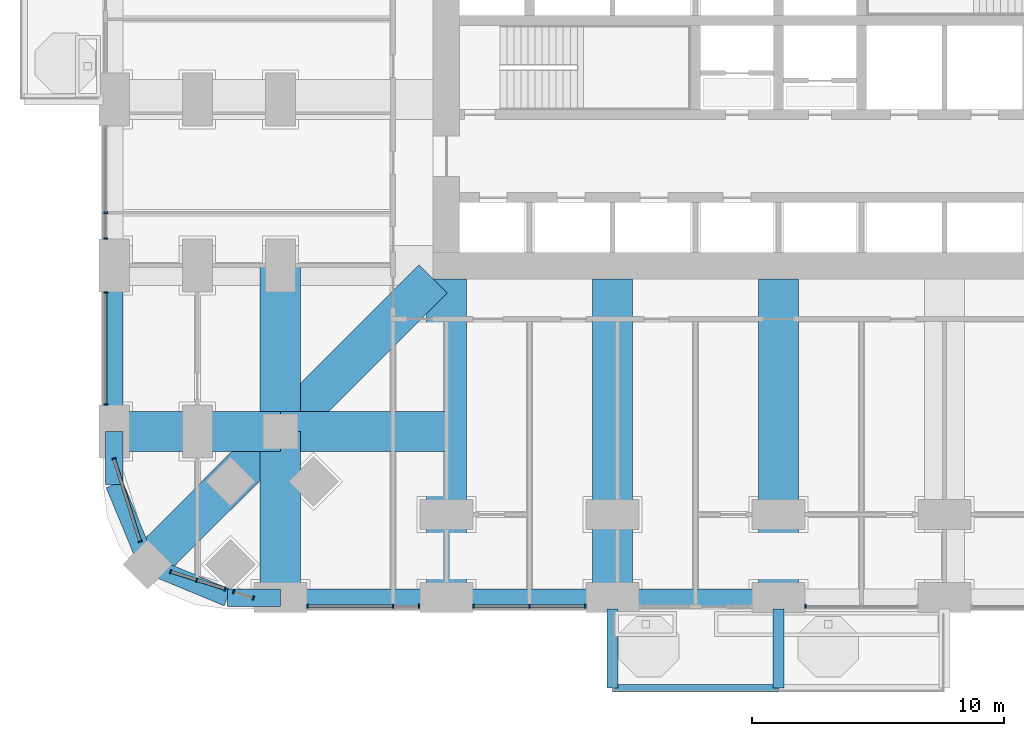
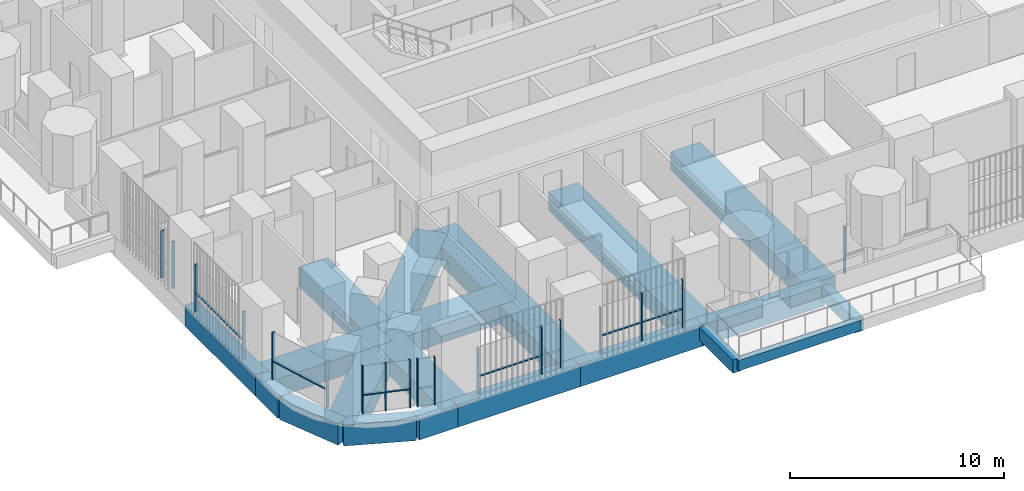
# One storey, part 2 of 26: 25 members, 20 beams, 8 elements without a shape of their own.
"""IFC4 building model written with IfcOpenShell, lengths in metres."""

from ifc_helpers import new_model, si_unit, direction, frame, origin, origin_2d, place, context, subcontext, project, spatial, rectangle, extrude, material, material_profile, profile_set, type_object, element, aggregate, save


model = new_model("IFC4")

# Units and contexts
model_context = context("Model", 3, precision=1e-05, world=origin(), true_north=direction((0.0, 1.0)))
body_context = subcontext(model_context, "Body", "Model", "MODEL_VIEW")
ifc_project = project(units=[si_unit("LENGTHUNIT", "METRE"), si_unit("AREAUNIT", "SQUARE_METRE"), si_unit("VOLUMEUNIT", "CUBIC_METRE"), si_unit("PLANEANGLEUNIT", "RADIAN"), si_unit("MASSUNIT", "GRAM", prefix="KILO")], contexts=[model_context])

# Site, building, storey
site_placement = place(None, origin())
site = spatial("IfcSite", under=ifc_project, at=site_placement, CompositionType="ELEMENT")
building_placement = place(site_placement, origin())
building = spatial("IfcBuilding", under=site, at=building_placement, Name="Cobogo Forest Laboratory Tower", CompositionType="ELEMENT")
storey_placement = place(building_placement, frame((0.0, 0.0, 59.10009765625)))
storey = spatial("IfcBuildingStorey", under=building, at=storey_placement, Name="L13", CompositionType="ELEMENT", Elevation=59.10009765625)

# Beams
ifc_material_1 = material(Name="Concrete HA-40 (C40/50)", Category="concrete")
ifc_material_profile_1 = material_profile(ifc_material_1, rectangle(XDim=0.449951171875, YDim=0.75, at=origin_2d()), Name="RC 450x750")
ifc_profile_set_1 = profile_set([ifc_material_profile_1], Name="Concrete HA-40 (C40/50)")
beam_type_1 = type_object("IfcBeamType", Name="Balcony cantilever beam 450x750", PredefinedType="BEAM", material=ifc_profile_set_1)
for number, where, z_axis, x_axis, name in (
    (1, (19.800048828125, -0.449951171875, -0.625), (0.0, -1.0, 0.0), (1.0, 0.0, 0.0), "CB1 BAL-S1-C1 L13"),
    (2, (26.39990234375, -0.449951171875, -0.625), (0.0, -1.0, 0.0), (1.0, 0.0, 0.0), "CB1 BAL-S1-C2 L13"),
):
    element("IfcBeam", number, at=place(storey_placement, frame(where, z_axis=z_axis, x_axis=x_axis)), inside=storey, type_object=beam_type_1, Name=name, PredefinedType="BEAM", context=body_context, shape_type="SweptSolid", body=[
        extrude(rectangle(XDim=0.449951171875, YDim=0.75, at=origin_2d()), origin(), (0.0, 0.0, 1.0), 3.150146484375),
    ])
ifc_material_profile_2 = material_profile(ifc_material_1, rectangle(XDim=0.300048828125, YDim=0.60009765625, at=origin_2d()), Name="RC 300x600")
ifc_profile_set_2 = profile_set([ifc_material_profile_2], Name="Concrete HA-40 (C40/50)")
beam_type_2 = type_object("IfcBeamType", Name="Balcony edge beam 300x600", PredefinedType="BEAM", material=ifc_profile_set_2)
beam_1_placement = place(storey_placement, frame((19.800048828125, -3.60009765625, -0.550048828125), z_axis=(1.0, 0.0, 0.0), x_axis=(0.0, 1.0, 0.0)))
element("IfcBeam", 3, at=beam_1_placement, inside=storey, type_object=beam_type_2, Name="BB1 BAL-S1-T1 L13", PredefinedType="BEAM", context=body_context, shape_type="SweptSolid", body=[
    extrude(rectangle(XDim=0.300048828125, YDim=0.60009765625, at=origin_2d()), origin(), (0.0, 0.0, 1.0), 6.599853515625),
])
ifc_material_2 = material(Name="Concrete HA-50 (C50/60)", Category="concrete")
ifc_material_profile_3 = material_profile(ifc_material_2, rectangle(XDim=1.60009765625, YDim=1.050048828125, at=origin_2d()), Name="RC 1600x1050")
ifc_profile_set_3 = profile_set([ifc_material_profile_3], Name="Concrete HA-50 (C50/60)")
beam_type_3 = type_object("IfcBeamType", Name="Laboratory floor wide beam 1600x1050", PredefinedType="BEAM", material=ifc_profile_set_3)
for number, where, z_axis, x_axis, name in (
    (4, (13.199951171875, 12.675048828125, -0.8251953125), (0.0, -1.0, 0.0), (1.0, 0.0, 0.0), "RB8 R-3-S L13"),
    (5, (19.800048828125, 12.675048828125, -0.8251953125), (0.0, -1.0, 0.0), (1.0, 0.0, 0.0), "RB8 R-4-S L13"),
    (6, (26.39990234375, 12.675048828125, -0.8251953125), (0.0, -1.0, 0.0), (1.0, 0.0, 0.0), "RB8 R-5-S L13"),
):
    element("IfcBeam", number, at=place(storey_placement, frame(where, z_axis=z_axis, x_axis=x_axis)), inside=storey, type_object=beam_type_3, Name=name, PredefinedType="BEAM", context=body_context, shape_type="SweptSolid", body=[
        extrude(rectangle(XDim=1.60009765625, YDim=1.050048828125, at=origin_2d()), origin(), (0.0, 0.0, 1.0), 12.675048828125),
    ])
beam_2_placement = place(storey_placement, frame((6.60009765625, 0.0, -0.8251953125), z_axis=(0.0, 1.0, 0.0), x_axis=(-1.0, 0.0, 0.0)))
element("IfcBeam", 7, at=beam_2_placement, inside=storey, type_object=beam_type_3, Name="RB8 G-SW-XF L13", PredefinedType="BEAM", context=body_context, shape_type="SweptSolid", body=[
    extrude(rectangle(XDim=1.60009765625, YDim=1.050048828125, at=origin_2d()), origin(), (0.0, 0.0, 1.0), 6.60009765625),
])
beam_3_placement = place(storey_placement, frame((6.60009765625, 6.60009765625, -0.8251953125), z_axis=(0.0, 1.0, 0.0), x_axis=(-1.0, 0.0, 0.0)))
element("IfcBeam", 8, at=beam_3_placement, inside=storey, type_object=beam_type_3, Name="RB8 G-SW-XC L13", PredefinedType="BEAM", context=body_context, shape_type="SweptSolid", body=[
    extrude(rectangle(XDim=1.60009765625, YDim=1.050048828125, at=origin_2d()), origin(), (0.0, 0.0, 1.0), 6.599853515625),
])
beam_4_placement = place(storey_placement, frame((0.0, 6.60009765625, -0.8251953125), z_axis=(1.0, 0.0, 0.0), x_axis=(0.0, 1.0, 0.0)))
element("IfcBeam", 9, at=beam_4_placement, inside=storey, type_object=beam_type_3, Name="RB8 G-SW-YF L13", PredefinedType="BEAM", context=body_context, shape_type="SweptSolid", body=[
    extrude(rectangle(XDim=1.60009765625, YDim=1.050048828125, at=origin_2d()), origin(), (0.0, 0.0, 1.0), 6.60009765625),
])
beam_5_placement = place(storey_placement, frame((6.60009765625, 6.60009765625, -0.8251953125), z_axis=(1.0, 0.0, 0.0), x_axis=(0.0, 1.0, 0.0)))
element("IfcBeam", 10, at=beam_5_placement, inside=storey, type_object=beam_type_3, Name="RB8 G-SW-YC L13", PredefinedType="BEAM", context=body_context, shape_type="SweptSolid", body=[
    extrude(rectangle(XDim=1.60009765625, YDim=1.050048828125, at=origin_2d()), origin(), (0.0, 0.0, 1.0), 6.599853515625),
])
beam_6_placement = place(storey_placement, frame((1.318115234375, 1.318115234375, -0.8251953125), z_axis=(0.707106781187, 0.707106781187, 0.0), x_axis=(-0.707106781187, 0.707106781187, 0.0)))
element("IfcBeam", 11, at=beam_6_placement, inside=storey, type_object=beam_type_3, Name="RB8 G-SW-D1 L13", PredefinedType="BEAM", context=body_context, shape_type="SweptSolid", body=[
    extrude(rectangle(XDim=1.60009765625, YDim=1.050048828125, at=origin_2d()), origin(), (0.0, 0.0, 1.0), 7.469970703125),
])
beam_7_placement = place(storey_placement, frame((6.60009765625, 6.60009765625, -0.8251953125), z_axis=(0.707106781187, 0.707106781187, 0.0), x_axis=(-0.707106781187, 0.707106781187, 0.0)))
element("IfcBeam", 12, at=beam_7_placement, inside=storey, type_object=beam_type_3, Name="RB8 G-SW-D2 L13", PredefinedType="BEAM", context=body_context, shape_type="SweptSolid", body=[
    extrude(rectangle(XDim=1.60009765625, YDim=1.050048828125, at=origin_2d()), origin(), (0.0, 0.0, 1.0), 8.59130859375),
])

# Curtain wall, members
ifc_material_3 = material(Name="Aluminium curtain wall", Category="aluminium")
curtain_wall_type = type_object("IfcCurtainWallType", Name="CW-1 unitised curtain wall, clear glazing, laboratory floors zones A and B", PredefinedType="USERDEFINED", material=ifc_material_3)
curtain_wall_1_placement = place(storey_placement, origin())
curtain_wall_1 = element("IfcCurtainWall", 13, at=curtain_wall_1_placement, inside=storey, type_object=curtain_wall_type, Name="Curtain wall 01 L13", ObjectType="UNITISED CURTAIN WALL", PredefinedType="USERDEFINED")
ifc_material_4 = material(Name="Aluminium mullion", Category="aluminium")
ifc_material_profile_4 = material_profile(ifc_material_4, rectangle(XDim=0.06005859375, YDim=0.159912109375, at=origin_2d()), Name="AL 60x160")
ifc_profile_set_4 = profile_set([ifc_material_profile_4], Name="Aluminium mullion")
member_type_1 = type_object("IfcMemberType", Name="MU-1 aluminium mullion 60x160", PredefinedType="MULLION", material=ifc_profile_set_4)
member_1_placement = place(storey_placement, frame((7.679931640625, -0.35009765625, 0.0), z_axis=(0.0, 0.0, 1.0), x_axis=(1.0, 0.0, 0.0)))
member_1 = element("IfcMember", 14, at=member_1_placement, type_object=member_type_1, Name="CW-1 mullion 1", PredefinedType="MULLION", context=body_context, shape_type="SweptSolid", body=[
    extrude(rectangle(XDim=0.06005859375, YDim=0.159912109375, at=origin_2d()), origin(), (0.0, 0.0, 1.0), 2.699951171875),
])
member_2_placement = place(storey_placement, frame((11.074951171875, -0.35009765625, 0.0), z_axis=(0.0, 0.0, 1.0), x_axis=(1.0, 0.0, 0.0)))
member_2 = element("IfcMember", 15, at=member_2_placement, type_object=member_type_1, Name="CW-1 mullion 2", PredefinedType="MULLION", context=body_context, shape_type="SweptSolid", body=[
    extrude(rectangle(XDim=0.06005859375, YDim=0.159912109375, at=origin_2d()), origin(), (0.0, 0.0, 1.0), 2.699951171875),
])
member_3_placement = place(storey_placement, frame((12.1201171875, -0.35009765625, 0.0), z_axis=(0.0, 0.0, 1.0), x_axis=(1.0, 0.0, 0.0)))
member_3 = element("IfcMember", 16, at=member_3_placement, type_object=member_type_1, Name="CW-1 mullion 3", PredefinedType="MULLION", context=body_context, shape_type="SweptSolid", body=[
    extrude(rectangle(XDim=0.06005859375, YDim=0.159912109375, at=origin_2d()), origin(), (0.0, 0.0, 1.0), 2.699951171875),
])

curtain_wall_2_placement = place(storey_placement, origin())
curtain_wall_2 = element("IfcCurtainWall", 17, at=curtain_wall_2_placement, inside=storey, type_object=curtain_wall_type, Name="Curtain wall 02 L13", ObjectType="UNITISED CURTAIN WALL", PredefinedType="USERDEFINED")
member_4_placement = place(storey_placement, frame((14.280029296875, -0.35009765625, 0.0), z_axis=(0.0, 0.0, 1.0), x_axis=(1.0, 0.0, 0.0)))
member_4 = element("IfcMember", 18, at=member_4_placement, type_object=member_type_1, Name="CW-1 mullion 1", PredefinedType="MULLION", context=body_context, shape_type="SweptSolid", body=[
    extrude(rectangle(XDim=0.06005859375, YDim=0.159912109375, at=origin_2d()), origin(), (0.0, 0.0, 1.0), 2.699951171875),
])
member_5_placement = place(storey_placement, frame((16.5, -0.35009765625, 0.0), z_axis=(0.0, 0.0, 1.0), x_axis=(1.0, 0.0, 0.0)))
member_5 = element("IfcMember", 19, at=member_5_placement, type_object=member_type_1, Name="CW-1 mullion 2", PredefinedType="MULLION", context=body_context, shape_type="SweptSolid", body=[
    extrude(rectangle(XDim=0.06005859375, YDim=0.159912109375, at=origin_2d()), origin(), (0.0, 0.0, 1.0), 2.699951171875),
])
member_6_placement = place(storey_placement, frame((18.719970703125, -0.35009765625, 0.0), z_axis=(0.0, 0.0, 1.0), x_axis=(1.0, 0.0, 0.0)))
member_6 = element("IfcMember", 20, at=member_6_placement, type_object=member_type_1, Name="CW-1 mullion 3", PredefinedType="MULLION", context=body_context, shape_type="SweptSolid", body=[
    extrude(rectangle(XDim=0.06005859375, YDim=0.159912109375, at=origin_2d()), origin(), (0.0, 0.0, 1.0), 2.699951171875),
])

# Curtain wall, member
curtain_wall_3_placement = place(storey_placement, origin())
curtain_wall_3 = element("IfcCurtainWall", 21, at=curtain_wall_3_placement, inside=storey, type_object=curtain_wall_type, Name="Curtain wall 04 L13", ObjectType="UNITISED CURTAIN WALL", PredefinedType="USERDEFINED")
member_7_placement = place(storey_placement, frame((27.47998046875, -0.35009765625, 0.0), z_axis=(0.0, 0.0, 1.0), x_axis=(1.0, 0.0, 0.0)))
member_7 = element("IfcMember", 22, at=member_7_placement, type_object=member_type_1, Name="CW-1 mullion 1", PredefinedType="MULLION", context=body_context, shape_type="SweptSolid", body=[
    extrude(rectangle(XDim=0.06005859375, YDim=0.159912109375, at=origin_2d()), origin(), (0.0, 0.0, 1.0), 2.699951171875),
])
aggregate(curtain_wall_3, [member_7])

# Curtain wall, members
curtain_wall_4_placement = place(storey_placement, origin())
curtain_wall_4 = element("IfcCurtainWall", 23, at=curtain_wall_4_placement, inside=storey, type_object=curtain_wall_type, Name="Curtain wall 30 L13", ObjectType="UNITISED CURTAIN WALL", PredefinedType="USERDEFINED")
member_8_placement = place(storey_placement, frame((-0.35009765625, 15.300048828125, 0.0), z_axis=(0.0, 0.0, 1.0), x_axis=(0.0, -1.0, 0.0)))
member_8 = element("IfcMember", 24, at=member_8_placement, type_object=member_type_1, Name="CW-1 mullion 2", PredefinedType="MULLION", context=body_context, shape_type="SweptSolid", body=[
    extrude(rectangle(XDim=0.06005859375, YDim=0.159912109375, at=origin_2d()), origin(), (0.0, 0.0, 1.0), 2.699951171875),
])
member_9_placement = place(storey_placement, frame((-0.35009765625, 14.280029296875, 0.0), z_axis=(0.0, 0.0, 1.0), x_axis=(0.0, -1.0, 0.0)))
member_9 = element("IfcMember", 25, at=member_9_placement, type_object=member_type_1, Name="CW-1 mullion 3", PredefinedType="MULLION", context=body_context, shape_type="SweptSolid", body=[
    extrude(rectangle(XDim=0.06005859375, YDim=0.159912109375, at=origin_2d()), origin(), (0.0, 0.0, 1.0), 2.699951171875),
])
aggregate(curtain_wall_4, [member_8, member_9])

curtain_wall_5_placement = place(storey_placement, origin())
curtain_wall_5 = element("IfcCurtainWall", 26, at=curtain_wall_5_placement, inside=storey, type_object=curtain_wall_type, Name="Curtain wall 31 L13", ObjectType="UNITISED CURTAIN WALL", PredefinedType="USERDEFINED")
member_10_placement = place(storey_placement, frame((-0.35009765625, 12.1201171875, 0.0), z_axis=(0.0, 0.0, 1.0), x_axis=(0.0, -1.0, 0.0)))
member_10 = element("IfcMember", 27, at=member_10_placement, type_object=member_type_1, Name="CW-1 mullion 1", PredefinedType="MULLION", context=body_context, shape_type="SweptSolid", body=[
    extrude(rectangle(XDim=0.06005859375, YDim=0.159912109375, at=origin_2d()), origin(), (0.0, 0.0, 1.0), 2.699951171875),
])
member_11_placement = place(storey_placement, frame((-0.35009765625, 7.679931640625, 0.0), z_axis=(0.0, 0.0, 1.0), x_axis=(0.0, -1.0, 0.0)))
member_11 = element("IfcMember", 28, at=member_11_placement, type_object=member_type_1, Name="CW-1 mullion 2", PredefinedType="MULLION", context=body_context, shape_type="SweptSolid", body=[
    extrude(rectangle(XDim=0.06005859375, YDim=0.159912109375, at=origin_2d()), origin(), (0.0, 0.0, 1.0), 2.699951171875),
])

curtain_wall_6_placement = place(storey_placement, origin())
curtain_wall_6 = element("IfcCurtainWall", 29, at=curtain_wall_6_placement, inside=storey, type_object=curtain_wall_type, Name="Curtain wall 32 L13", ObjectType="UNITISED CURTAIN WALL", PredefinedType="USERDEFINED")
member_12_placement = place(storey_placement, frame((-0.00927734375, 5.521484375, 0.0), z_axis=(0.0, 0.0, 1.0), x_axis=(0.30113535792, -0.95358140513, 0.0)))
member_12 = element("IfcMember", 30, at=member_12_placement, type_object=member_type_1, Name="CW-1 mullion 1", PredefinedType="MULLION", context=body_context, shape_type="SweptSolid", body=[
    extrude(rectangle(XDim=0.06005859375, YDim=0.159912109375, at=origin_2d()), origin(), (0.0, 0.0, 1.0), 2.699951171875),
])
member_13_placement = place(storey_placement, frame((1.02734375, 2.23876953125, 0.0), z_axis=(0.0, 0.0, 1.0), x_axis=(0.30113535792, -0.95358140513, 0.0)))
member_13 = element("IfcMember", 31, at=member_13_placement, type_object=member_type_1, Name="CW-1 mullion 2", PredefinedType="MULLION", context=body_context, shape_type="SweptSolid", body=[
    extrude(rectangle(XDim=0.06005859375, YDim=0.159912109375, at=origin_2d()), origin(), (0.0, 0.0, 1.0), 2.699951171875),
])

curtain_wall_7_placement = place(storey_placement, origin())
curtain_wall_7 = element("IfcCurtainWall", 32, at=curtain_wall_7_placement, inside=storey, type_object=curtain_wall_type, Name="Curtain wall 33 L13", ObjectType="UNITISED CURTAIN WALL", PredefinedType="USERDEFINED")
member_14_placement = place(storey_placement, frame((2.23876953125, 1.02734375, 0.0), z_axis=(0.0, 0.0, 1.0), x_axis=(0.953581409645, -0.301135343623, 0.0)))
member_14 = element("IfcMember", 33, at=member_14_placement, type_object=member_type_1, Name="CW-1 mullion 1", PredefinedType="MULLION", context=body_context, shape_type="SweptSolid", body=[
    extrude(rectangle(XDim=0.06005859375, YDim=0.159912109375, at=origin_2d()), origin(), (0.0, 0.0, 1.0), 2.699951171875),
])
member_15_placement = place(storey_placement, frame((3.27587890625, 0.69970703125, 0.0), z_axis=(0.0, 0.0, 1.0), x_axis=(0.953581409645, -0.301135343623, 0.0)))
member_15 = element("IfcMember", 34, at=member_15_placement, type_object=member_type_1, Name="CW-1 mullion 2", PredefinedType="MULLION", context=body_context, shape_type="SweptSolid", body=[
    extrude(rectangle(XDim=0.06005859375, YDim=0.159912109375, at=origin_2d()), origin(), (0.0, 0.0, 1.0), 2.699951171875),
])
member_16_placement = place(storey_placement, frame((4.39697265625, 0.345703125, 0.0), z_axis=(0.0, 0.0, 1.0), x_axis=(0.953581409645, -0.301135343623, 0.0)))
member_16 = element("IfcMember", 35, at=member_16_placement, type_object=member_type_1, Name="CW-1 mullion 3", PredefinedType="MULLION", context=body_context, shape_type="SweptSolid", body=[
    extrude(rectangle(XDim=0.06005859375, YDim=0.159912109375, at=origin_2d()), origin(), (0.0, 0.0, 1.0), 2.699951171875),
])

curtain_wall_8_placement = place(storey_placement, origin())
curtain_wall_8 = element("IfcCurtainWall", 36, at=curtain_wall_8_placement, inside=storey, type_object=curtain_wall_type, Name="Curtain wall 34 L13", ObjectType="UNITISED CURTAIN WALL", PredefinedType="USERDEFINED")
member_17_placement = place(storey_placement, frame((4.74658203125, 0.2353515625, 0.0), z_axis=(0.0, 0.0, 1.0), x_axis=(0.953581504428, -0.301135043481, 0.0)))
member_17 = element("IfcMember", 37, at=member_17_placement, type_object=member_type_1, Name="CW-1 mullion 1", PredefinedType="MULLION", context=body_context, shape_type="SweptSolid", body=[
    extrude(rectangle(XDim=0.06005859375, YDim=0.159912109375, at=origin_2d()), origin(), (0.0, 0.0, 1.0), 2.699951171875),
])
member_18_placement = place(storey_placement, frame((5.521484375, -0.00927734375, 0.0), z_axis=(0.0, 0.0, 1.0), x_axis=(0.953581504428, -0.301135043481, 0.0)))
member_18 = element("IfcMember", 38, at=member_18_placement, type_object=member_type_1, Name="CW-1 mullion 2", PredefinedType="MULLION", context=body_context, shape_type="SweptSolid", body=[
    extrude(rectangle(XDim=0.06005859375, YDim=0.159912109375, at=origin_2d()), origin(), (0.0, 0.0, 1.0), 2.699951171875),
])
aggregate(curtain_wall_8, [member_17, member_18])

# Beams
ifc_material_profile_5 = material_profile(ifc_material_1, rectangle(XDim=0.699951171875, YDim=1.199951171875, at=origin_2d()), Name="RC 700x1200")
ifc_profile_set_5 = profile_set([ifc_material_profile_5], Name="Concrete HA-40 (C40/50)")
beam_type_4 = type_object("IfcBeamType", Name="Perimeter edge beam 700x1200", PredefinedType="BEAM", material=ifc_profile_set_5)
beam_8_placement = place(storey_placement, frame((6.60009765625, 0.0, -0.900146484375), z_axis=(1.0, 0.0, 0.0), x_axis=(0.0, 1.0, 0.0)))
element("IfcBeam", 39, at=beam_8_placement, inside=storey, type_object=beam_type_4, Name="EB1 E-S1 L13", PredefinedType="BEAM", context=body_context, shape_type="SweptSolid", body=[
    extrude(rectangle(XDim=0.699951171875, YDim=1.199951171875, at=origin_2d()), origin(), (0.0, 0.0, 1.0), 6.599853515625),
])
beam_9_placement = place(storey_placement, frame((13.199951171875, 0.0, -0.900146484375), z_axis=(1.0, 0.0, 0.0), x_axis=(0.0, 1.0, 0.0)))
element("IfcBeam", 40, at=beam_9_placement, inside=storey, type_object=beam_type_4, Name="EB1 E-S2 L13", PredefinedType="BEAM", context=body_context, shape_type="SweptSolid", body=[
    extrude(rectangle(XDim=0.699951171875, YDim=1.199951171875, at=origin_2d()), origin(), (0.0, 0.0, 1.0), 6.60009765625),
])
for number, where, z_axis, x_axis, name in (
    (41, (19.800048828125, 0.0, -0.900146484375), (1.0, 0.0, 0.0), (0.0, 1.0, 0.0), "EB1 E-S3 L13"),
    (42, (0.0, 6.60009765625, -0.900146484375), (0.0, 1.0, 0.0), (-1.0, 0.0, 0.0), "EB1 E-W1 L13"),
):
    element("IfcBeam", number, at=place(storey_placement, frame(where, z_axis=z_axis, x_axis=x_axis)), inside=storey, type_object=beam_type_4, Name=name, PredefinedType="BEAM", context=body_context, shape_type="SweptSolid", body=[
        extrude(rectangle(XDim=0.699951171875, YDim=1.199951171875, at=origin_2d()), origin(), (0.0, 0.0, 1.0), 6.599853515625),
    ])
beam_10_placement = place(storey_placement, frame((6.60009765625, 0.0, -0.900146484375), z_axis=(-1.0, 0.0, 0.0), x_axis=(0.0, -1.0, 0.0)))
element("IfcBeam", 43, at=beam_10_placement, inside=storey, type_object=beam_type_4, Name="EB1 E-SWS1 L13", PredefinedType="BEAM", context=body_context, shape_type="SweptSolid", body=[
    extrude(rectangle(XDim=0.699951171875, YDim=1.199951171875, at=origin_2d()), origin(), (0.0, 0.0, 1.0), 2.10009765625),
])
beam_11_placement = place(storey_placement, frame((4.5, 0.0, -0.900146484375), z_axis=(-0.923865631356, 0.382716990999, 0.0), x_axis=(-0.382716990999, -0.923865631356, 0.0)))
element("IfcBeam", 44, at=beam_11_placement, inside=storey, type_object=beam_type_4, Name="EB1 E-SWS2 L13", PredefinedType="BEAM", context=body_context, shape_type="SweptSolid", body=[
    extrude(rectangle(XDim=0.699951171875, YDim=1.199951171875, at=origin_2d()), origin(), (0.0, 0.0, 1.0), 3.444091796875),
])
beam_12_placement = place(storey_placement, frame((0.0, 6.60009765625, -0.900146484375), z_axis=(0.0, -1.0, 0.0), x_axis=(1.0, 0.0, 0.0)))
element("IfcBeam", 45, at=beam_12_placement, inside=storey, type_object=beam_type_4, Name="EB1 E-SWW1 L13", PredefinedType="BEAM", context=body_context, shape_type="SweptSolid", body=[
    extrude(rectangle(XDim=0.699951171875, YDim=1.199951171875, at=origin_2d()), origin(), (0.0, 0.0, 1.0), 2.10009765625),
])
beam_13_placement = place(storey_placement, frame((0.0, 4.5, -0.900146484375), z_axis=(0.382716990999, -0.923865631356, 0.0), x_axis=(0.923865631356, 0.382716990999, 0.0)))
element("IfcBeam", 46, at=beam_13_placement, inside=storey, type_object=beam_type_4, Name="EB1 E-SWW2 L13", PredefinedType="BEAM", context=body_context, shape_type="SweptSolid", body=[
    extrude(rectangle(XDim=0.699951171875, YDim=1.199951171875, at=origin_2d()), origin(), (0.0, 0.0, 1.0), 3.444091796875),
])

# Member
ifc_material_5 = material(Name="Aluminium transom", Category="aluminium")
ifc_material_profile_6 = material_profile(ifc_material_5, rectangle(XDim=0.1201171875, YDim=0.06005859375, at=origin_2d()), Name="AL 60x120")
ifc_profile_set_6 = profile_set([ifc_material_profile_6], Name="Aluminium transom")
member_type_2 = type_object("IfcMemberType", Name="TR-1 aluminium transom 60x120", PredefinedType="USERDEFINED", material=ifc_profile_set_6)
member_19_placement = place(storey_placement, frame((7.7099609375, -0.35009765625, 1.0498046875), z_axis=(1.0, 0.0, 0.0), x_axis=(0.0, 1.0, 0.0)))
member_19 = element("IfcMember", 47, at=member_19_placement, type_object=member_type_2, Name="CW-1 transom 1.1", ObjectType="TRANSOM", PredefinedType="USERDEFINED", context=body_context, shape_type="SweptSolid", body=[
    extrude(rectangle(XDim=0.1201171875, YDim=0.06005859375, at=origin_2d()), origin(), (0.0, 0.0, 1.0), 3.3349609375),
])

aggregate(curtain_wall_1, [member_1, member_2, member_3, member_19])

member_20_placement = place(storey_placement, frame((14.31005859375, -0.35009765625, 1.0498046875), z_axis=(1.0, 0.0, 0.0), x_axis=(0.0, 1.0, 0.0)))
member_20 = element("IfcMember", 48, at=member_20_placement, type_object=member_type_2, Name="CW-1 transom 1.1", ObjectType="TRANSOM", PredefinedType="USERDEFINED", context=body_context, shape_type="SweptSolid", body=[
    extrude(rectangle(XDim=0.1201171875, YDim=0.06005859375, at=origin_2d()), origin(), (0.0, 0.0, 1.0), 2.159912109375),
])

member_21_placement = place(storey_placement, frame((16.530029296875, -0.35009765625, 1.0498046875), z_axis=(1.0, 0.0, 0.0), x_axis=(0.0, 1.0, 0.0)))
member_21 = element("IfcMember", 49, at=member_21_placement, type_object=member_type_2, Name="CW-1 transom 2.1", ObjectType="TRANSOM", PredefinedType="USERDEFINED", context=body_context, shape_type="SweptSolid", body=[
    extrude(rectangle(XDim=0.1201171875, YDim=0.06005859375, at=origin_2d()), origin(), (0.0, 0.0, 1.0), 2.159912109375),
])

aggregate(curtain_wall_2, [member_4, member_5, member_6, member_20, member_21])

member_22_placement = place(storey_placement, frame((-0.35009765625, 12.090087890625, 1.0498046875), z_axis=(0.0, -1.0, 0.0), x_axis=(1.0, 0.0, 0.0)))
member_22 = element("IfcMember", 50, at=member_22_placement, type_object=member_type_2, Name="CW-1 transom 1.1", ObjectType="TRANSOM", PredefinedType="USERDEFINED", context=body_context, shape_type="SweptSolid", body=[
    extrude(rectangle(XDim=0.1201171875, YDim=0.06005859375, at=origin_2d()), origin(), (0.0, 0.0, 1.0), 4.380126953125),
])

aggregate(curtain_wall_5, [member_10, member_11, member_22])

member_23_placement = place(storey_placement, frame((-0.000244140625, 5.49267578125, 1.0498046875), z_axis=(0.301138276922, -0.953580483322, 0.0), x_axis=(0.953580483322, 0.301138276922, 0.0)))
member_23 = element("IfcMember", 51, at=member_23_placement, type_object=member_type_2, Name="CW-1 transom 1.1", ObjectType="TRANSOM", PredefinedType="USERDEFINED", context=body_context, shape_type="SweptSolid", body=[
    extrude(rectangle(XDim=0.1201171875, YDim=0.06005859375, at=origin_2d()), origin(), (0.0, 0.0, 1.0), 3.38232421875),
])

aggregate(curtain_wall_6, [member_12, member_13, member_23])

member_24_placement = place(storey_placement, frame((2.267333984375, 1.018310546875, 1.0498046875), z_axis=(0.953553938535, -0.301222320394, 0.0), x_axis=(0.301222320394, 0.953553938535, 0.0)))
member_24 = element("IfcMember", 52, at=member_24_placement, type_object=member_type_2, Name="CW-1 transom 1.1", ObjectType="TRANSOM", PredefinedType="USERDEFINED", context=body_context, shape_type="SweptSolid", body=[
    extrude(rectangle(XDim=0.1201171875, YDim=0.06005859375, at=origin_2d()), origin(), (0.0, 0.0, 1.0), 1.02783203125),
])

member_25_placement = place(storey_placement, frame((3.304443359375, 0.690673828125, 1.0498046875), z_axis=(0.953595892327, -0.301089478624, 0.0), x_axis=(0.301089478624, 0.953595892327, 0.0)))
member_25 = element("IfcMember", 53, at=member_25_placement, type_object=member_type_2, Name="CW-1 transom 2.1", ObjectType="TRANSOM", PredefinedType="USERDEFINED", context=body_context, shape_type="SweptSolid", body=[
    extrude(rectangle(XDim=0.1201171875, YDim=0.06005859375, at=origin_2d()), origin(), (0.0, 0.0, 1.0), 1.11572265625),
])

aggregate(curtain_wall_7, [member_14, member_15, member_16, member_24, member_25])

save(model, "model.ifc")
